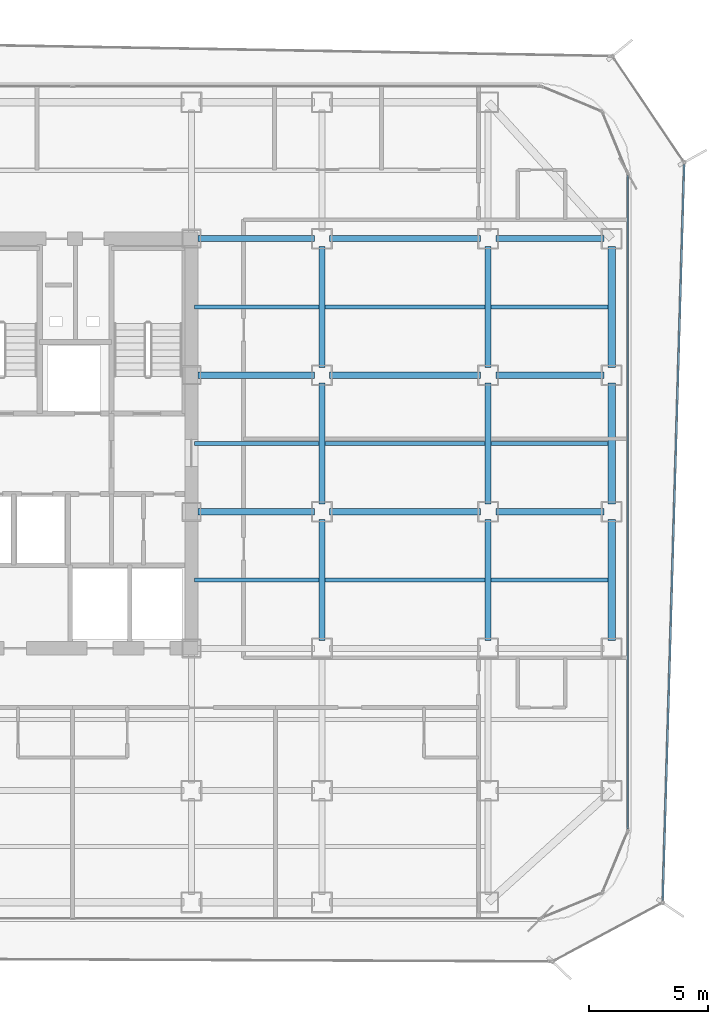
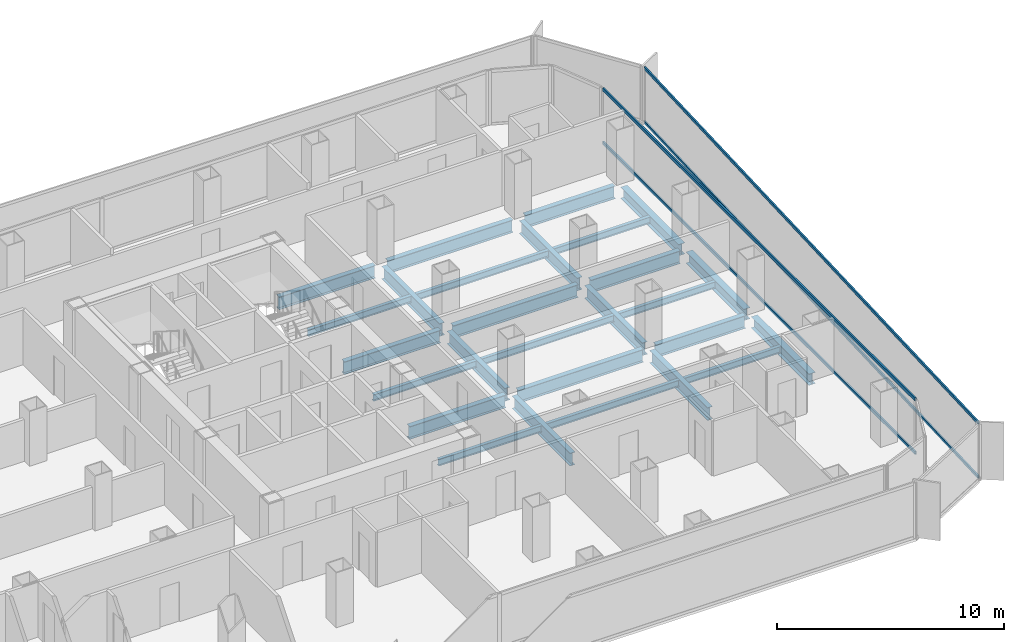
# One storey, part 9 of 21: 27 beams, 4 members, 2 elements without a shape of their own.
"""IFC4 building model written with IfcOpenShell, lengths in metres."""

from ifc_helpers import new_model, si_unit, direction, frame, origin, origin_2d, place, context, subcontext, project, spatial, hollow_rectangle, i_section, extrude, source, transform, mapped, material, layer, layer_set, material_profile, profile_set, type_object, element, aggregate, save


model = new_model("IFC4")

# Units and contexts
model_context = context("Model", 3, precision=1e-05, world=origin(), true_north=direction((0.0, 1.0)))
body_context = subcontext(model_context, "Body", "Model", "MODEL_VIEW")
ifc_project = project(units=[si_unit("LENGTHUNIT", "METRE"), si_unit("AREAUNIT", "SQUARE_METRE"), si_unit("VOLUMEUNIT", "CUBIC_METRE"), si_unit("PLANEANGLEUNIT", "RADIAN"), si_unit("MASSUNIT", "GRAM", prefix="KILO")], contexts=[model_context])

# Site, building, storey
site_placement = place(None, origin())
site = spatial("IfcSite", under=ifc_project, at=site_placement, CompositionType="ELEMENT")
building_placement = place(site_placement, origin())
building = spatial("IfcBuilding", under=site, at=building_placement, Name="Kolveth Station Tower", CompositionType="ELEMENT")
storey_placement = place(building_placement, frame((0.0, 0.0, 108.699951171875)))
storey = spatial("IfcBuildingStorey", under=building, at=storey_placement, Name="L29", CompositionType="ELEMENT", Elevation=108.699951171875)

# Beams
ifc_material_1 = material(Name="Steel S355", Category="steel")
ifc_material_profile_1 = material_profile(ifc_material_1, i_section(OverallWidth=0.323974609375, OverallDepth=0.611083984375, WebThickness=0.0126953125, FlangeThickness=0.01904296875, at=origin_2d()), Name="W610x155")
ifc_profile_set_1 = profile_set([ifc_material_profile_1], Name="Steel S355")
beam_type_1 = type_object("IfcBeamType", Name="Beam_SP2", PredefinedType="SPANDREL", material=ifc_profile_set_1)
shared_shape_1 = source(origin(), body_context, "Body", "SweptSolid", [
    extrude(i_section(OverallWidth=0.323974609375, OverallDepth=0.611083984375, WebThickness=0.0126953125, FlangeThickness=0.01904296875, at=origin_2d()), origin(), (0.0, 0.0, 1.0), 5.10986328125),
])
for number, where, z_axis, x_axis, name in (
    (1, (46.199951171875, 11.820068359375, -0.555419921875), (0.0, 1.0, 0.0), (-1.0, 0.0, 0.0), "L29 Perimeter Spandrel BM-L29-PE-2"),
    (2, (46.199951171875, 17.570068359375, -0.555419921875), (0.0, 1.0, 0.0), (-1.0, 0.0, 0.0), "L29 Perimeter Spandrel BM-L29-PE-3"),
    (3, (46.199951171875, 23.320068359375, -0.555419921875), (0.0, 1.0, 0.0), (-1.0, 0.0, 0.0), "L29 Perimeter Spandrel BM-L29-PE-4"),
):
    element("IfcBeam", number, at=place(storey_placement, frame(where, z_axis=z_axis, x_axis=x_axis)), inside=storey, type_object=beam_type_1, Name=name, PredefinedType="SPANDREL", context=body_context, shape_type="MappedRepresentation", body=[
        mapped(shared_shape_1, transform((0.0, 0.0, 0.0), x_axis=(1.0, 0.0, 0.0), y_axis=(0.0, 1.0, 0.0), z_axis=(0.0, 0.0, 1.0), scale=1.0)),
    ])
ifc_material_profile_2 = material_profile(ifc_material_1, i_section(OverallWidth=0.25390625, OverallDepth=0.68798828125, WebThickness=0.01318359375, FlangeThickness=0.02099609375, at=origin_2d()), Name="W690x152")
ifc_profile_set_2 = profile_set([ifc_material_profile_2], Name="Steel S355")
beam_type_2 = type_object("IfcBeamType", Name="Beam_B4", PredefinedType="BEAM", material=ifc_profile_set_2)
shared_shape_2 = source(origin(), body_context, "Body", "SweptSolid", [
    extrude(i_section(OverallWidth=0.25390625, OverallDepth=0.68798828125, WebThickness=0.01318359375, FlangeThickness=0.02099609375, at=origin_2d()), origin(), (0.0, 0.0, 1.0), 4.559814453125),
])
for number, where, z_axis, x_axis, name in (
    (4, (41.320068359375, 17.25, -0.593994140625), (1.0, 0.0, 0.0), (0.0, 1.0, 0.0), "L29 Primary Girder BM-L29-GY172-7"),
    (5, (41.320068359375, 23.0, -0.593994140625), (1.0, 0.0, 0.0), (0.0, 1.0, 0.0), "L29 Primary Girder BM-L29-GY230-7"),
    (6, (41.320068359375, 28.75, -0.593994140625), (1.0, 0.0, 0.0), (0.0, 1.0, 0.0), "L29 Primary Girder BM-L29-GY287-7"),
):
    element("IfcBeam", number, at=place(storey_placement, frame(where, z_axis=z_axis, x_axis=x_axis)), inside=storey, type_object=beam_type_2, Name=name, PredefinedType="BEAM", context=body_context, shape_type="MappedRepresentation", body=[
        mapped(shared_shape_2, transform((0.0, 0.0, 0.0), x_axis=(1.0, 0.0, 0.0), y_axis=(0.0, 1.0, 0.0), z_axis=(0.0, 0.0, 1.0), scale=1.0)),
    ])
shared_shape_3 = source(origin(), body_context, "Body", "SweptSolid", [
    extrude(i_section(OverallWidth=0.25390625, OverallDepth=0.68798828125, WebThickness=0.01318359375, FlangeThickness=0.02099609375, at=origin_2d()), origin(), (0.0, 0.0, 1.0), 6.35986328125),
])
for number, where, z_axis, x_axis, name in (
    (7, (34.320068359375, 17.25, -0.593994140625), (1.0, 0.0, 0.0), (0.0, 1.0, 0.0), "L29 Primary Girder BM-L29-GY172-6"),
    (8, (34.320068359375, 23.0, -0.593994140625), (1.0, 0.0, 0.0), (0.0, 1.0, 0.0), "L29 Primary Girder BM-L29-GY230-6"),
    (9, (34.320068359375, 28.75, -0.593994140625), (1.0, 0.0, 0.0), (0.0, 1.0, 0.0), "L29 Primary Girder BM-L29-GY287-6"),
):
    element("IfcBeam", number, at=place(storey_placement, frame(where, z_axis=z_axis, x_axis=x_axis)), inside=storey, type_object=beam_type_2, Name=name, PredefinedType="BEAM", context=body_context, shape_type="MappedRepresentation", body=[
        mapped(shared_shape_3, transform((0.0, 0.0, 0.0), x_axis=(1.0, 0.0, 0.0), y_axis=(0.0, 1.0, 0.0), z_axis=(0.0, 0.0, 1.0), scale=1.0)),
    ])
shared_shape_4 = source(origin(), body_context, "Body", "SweptSolid", [
    extrude(i_section(OverallWidth=0.25390625, OverallDepth=0.68798828125, WebThickness=0.01318359375, FlangeThickness=0.02099609375, at=origin_2d()), origin(), (0.0, 0.0, 1.0), 4.89990234375),
])
for number, where, z_axis, x_axis, name in (
    (10, (28.780029296875, 17.25, -0.593994140625), (1.0, 0.0, 0.0), (0.0, 1.0, 0.0), "L29 Primary Girder BM-L29-GY172-5"),
    (11, (28.780029296875, 23.0, -0.593994140625), (1.0, 0.0, 0.0), (0.0, 1.0, 0.0), "L29 Primary Girder BM-L29-GY230-5"),
    (12, (28.780029296875, 28.75, -0.593994140625), (1.0, 0.0, 0.0), (0.0, 1.0, 0.0), "L29 Primary Girder BM-L29-GY287-5"),
):
    element("IfcBeam", number, at=place(storey_placement, frame(where, z_axis=z_axis, x_axis=x_axis)), inside=storey, type_object=beam_type_2, Name=name, PredefinedType="BEAM", context=body_context, shape_type="MappedRepresentation", body=[
        mapped(shared_shape_4, transform((0.0, 0.0, 0.0), x_axis=(1.0, 0.0, 0.0), y_axis=(0.0, 1.0, 0.0), z_axis=(0.0, 0.0, 1.0), scale=1.0)),
    ])
shared_shape_5 = source(origin(), body_context, "Body", "SweptSolid", [
    extrude(i_section(OverallWidth=0.25390625, OverallDepth=0.68798828125, WebThickness=0.01318359375, FlangeThickness=0.02099609375, at=origin_2d()), origin(), (0.0, 0.0, 1.0), 5.10986328125),
])
for number, where, z_axis, x_axis, name in (
    (13, (34.0, 11.820068359375, -0.593994140625), (0.0, 1.0, 0.0), (-1.0, 0.0, 0.0), "L29 Primary Girder BM-L29-GX340-3"),
    (14, (34.0, 17.570068359375, -0.593994140625), (0.0, 1.0, 0.0), (-1.0, 0.0, 0.0), "L29 Primary Girder BM-L29-GX340-4"),
    (15, (34.0, 23.320068359375, -0.593994140625), (0.0, 1.0, 0.0), (-1.0, 0.0, 0.0), "L29 Primary Girder BM-L29-GX340-5"),
    (16, (41.0, 11.820068359375, -0.593994140625), (0.0, 1.0, 0.0), (-1.0, 0.0, 0.0), "L29 Primary Girder BM-L29-GX410-3"),
    (17, (41.0, 17.570068359375, -0.593994140625), (0.0, 1.0, 0.0), (-1.0, 0.0, 0.0), "L29 Primary Girder BM-L29-GX410-4"),
    (18, (41.0, 23.320068359375, -0.593994140625), (0.0, 1.0, 0.0), (-1.0, 0.0, 0.0), "L29 Primary Girder BM-L29-GX410-5"),
):
    element("IfcBeam", number, at=place(storey_placement, frame(where, z_axis=z_axis, x_axis=x_axis)), inside=storey, type_object=beam_type_2, Name=name, PredefinedType="BEAM", context=body_context, shape_type="MappedRepresentation", body=[
        mapped(shared_shape_5, transform((0.0, 0.0, 0.0), x_axis=(1.0, 0.0, 0.0), y_axis=(0.0, 1.0, 0.0), z_axis=(0.0, 0.0, 1.0), scale=1.0)),
    ])
ifc_material_profile_3 = material_profile(ifc_material_1, i_section(OverallWidth=0.1708984375, OverallDepth=0.35205078125, WebThickness=0.0068359375, FlangeThickness=0.009765625, at=origin_2d()), Name="W360x44")
ifc_profile_set_3 = profile_set([ifc_material_profile_3], Name="Steel S355")
beam_type_3 = type_object("IfcBeamType", Name="Beam_J2", PredefinedType="JOIST", material=ifc_profile_set_3)
shared_shape_6 = source(origin(), body_context, "Body", "SweptSolid", [
    extrude(i_section(OverallWidth=0.1708984375, OverallDepth=0.35205078125, WebThickness=0.0068359375, FlangeThickness=0.009765625, at=origin_2d()), origin(), (0.0, 0.0, 1.0), 4.9150390625),
])
for number, where, z_axis, x_axis, name in (
    (19, (41.125, 14.375, -0.426025390625), (1.0, 0.0, 0.0), (0.0, 1.0, 0.0), "L29 Secondary Joist JST-L29-7-3"),
    (20, (41.125, 20.125, -0.426025390625), (1.0, 0.0, 0.0), (0.0, 1.0, 0.0), "L29 Secondary Joist JST-L29-7-4"),
    (21, (41.125, 25.875, -0.426025390625), (1.0, 0.0, 0.0), (0.0, 1.0, 0.0), "L29 Secondary Joist JST-L29-7-5"),
):
    element("IfcBeam", number, at=place(storey_placement, frame(where, z_axis=z_axis, x_axis=x_axis)), inside=storey, type_object=beam_type_3, Name=name, PredefinedType="JOIST", context=body_context, shape_type="MappedRepresentation", body=[
        mapped(shared_shape_6, transform((0.0, 0.0, 0.0), x_axis=(1.0, 0.0, 0.0), y_axis=(0.0, 1.0, 0.0), z_axis=(0.0, 0.0, 1.0), scale=1.0)),
    ])
shared_shape_7 = source(origin(), body_context, "Body", "SweptSolid", [
    extrude(i_section(OverallWidth=0.1708984375, OverallDepth=0.35205078125, WebThickness=0.0068359375, FlangeThickness=0.009765625, at=origin_2d()), origin(), (0.0, 0.0, 1.0), 6.75),
])
for number, where, z_axis, x_axis, name in (
    (22, (34.125, 14.375, -0.426025390625), (1.0, 0.0, 0.0), (0.0, 1.0, 0.0), "L29 Secondary Joist JST-L29-6-3"),
    (23, (34.125, 20.125, -0.426025390625), (1.0, 0.0, 0.0), (0.0, 1.0, 0.0), "L29 Secondary Joist JST-L29-6-4"),
    (24, (34.125, 25.875, -0.426025390625), (1.0, 0.0, 0.0), (0.0, 1.0, 0.0), "L29 Secondary Joist JST-L29-6-5"),
):
    element("IfcBeam", number, at=place(storey_placement, frame(where, z_axis=z_axis, x_axis=x_axis)), inside=storey, type_object=beam_type_3, Name=name, PredefinedType="JOIST", context=body_context, shape_type="MappedRepresentation", body=[
        mapped(shared_shape_7, transform((0.0, 0.0, 0.0), x_axis=(1.0, 0.0, 0.0), y_axis=(0.0, 1.0, 0.0), z_axis=(0.0, 0.0, 1.0), scale=1.0)),
    ])
shared_shape_8 = source(origin(), body_context, "Body", "SweptSolid", [
    extrude(i_section(OverallWidth=0.1708984375, OverallDepth=0.35205078125, WebThickness=0.0068359375, FlangeThickness=0.009765625, at=origin_2d()), origin(), (0.0, 0.0, 1.0), 5.25),
])
for number, where, z_axis, x_axis, name in (
    (25, (28.625, 14.375, -0.426025390625), (1.0, 0.0, 0.0), (0.0, 1.0, 0.0), "L29 Secondary Joist JST-L29-5-3"),
    (26, (28.625, 20.125, -0.426025390625), (1.0, 0.0, 0.0), (0.0, 1.0, 0.0), "L29 Secondary Joist JST-L29-5-4"),
    (27, (28.625, 25.875, -0.426025390625), (1.0, 0.0, 0.0), (0.0, 1.0, 0.0), "L29 Secondary Joist JST-L29-5-5"),
):
    element("IfcBeam", number, at=place(storey_placement, frame(where, z_axis=z_axis, x_axis=x_axis)), inside=storey, type_object=beam_type_3, Name=name, PredefinedType="JOIST", context=body_context, shape_type="MappedRepresentation", body=[
        mapped(shared_shape_8, transform((0.0, 0.0, 0.0), x_axis=(1.0, 0.0, 0.0), y_axis=(0.0, 1.0, 0.0), z_axis=(0.0, 0.0, 1.0), scale=1.0)),
    ])

# Curtain wall, members
ifc_material_2 = material(Name="Aluminium 6063-T6 and low-E dark glass", Category="aluminium")
ifc_layer_1 = layer(ifc_material_2, 0.18994140625)
ifc_layer_set_1 = layer_set([ifc_layer_1], Name="Aluminium 6063-T6 and low-E dark glass")
curtain_wall_type_1 = type_object("IfcCurtainWallType", Name="CurtainWall_CW-Z2", PredefinedType="NOTDEFINED", material=ifc_layer_set_1)
curtain_wall_1_placement = place(storey_placement, origin())
curtain_wall_1 = element("IfcCurtainWall", 28, at=curtain_wall_1_placement, inside=storey, type_object=curtain_wall_type_1, Name="L29 Inner Thermal Curtain Wall 3", PredefinedType="NOTDEFINED")
ifc_material_3 = material(Name="Black anodized aluminium 6063-T6", Category="aluminium")
ifc_material_profile_4 = material_profile(ifc_material_3, hollow_rectangle(XDim=0.080078125, YDim=0.169921875, WallThickness=0.0048828125, at=origin_2d()), Name="ALU-80x170x5")
ifc_profile_set_4 = profile_set([ifc_material_profile_4], Name="Black anodized aluminium 6063-T6")
member_type_1 = type_object("IfcMemberType", Name="Transom_TR2", PredefinedType="USERDEFINED", material=ifc_profile_set_4)
shared_shape_9 = source(origin(), body_context, "Body", "SweptSolid", [
    extrude(hollow_rectangle(XDim=0.080078125, YDim=0.169921875, WallThickness=0.0048828125, at=origin_2d()), origin(), (0.0, 0.0, 1.0), 27.5400390625),
])
member_1_placement = place(storey_placement, frame((46.8798828125, 3.8798828125, 0.0400390625), z_axis=(0.0, 1.0, 0.0), x_axis=(-1.0, 0.0, 0.0)))
member_1 = element("IfcMember", 29, at=member_1_placement, type_object=member_type_1, Name="CW-Z2 transom 1.1", ObjectType="TRANSOM", PredefinedType="USERDEFINED", context=body_context, shape_type="MappedRepresentation", body=[
    mapped(shared_shape_9, transform((0.0, 0.0, 0.0), x_axis=(1.0, 0.0, 0.0), y_axis=(0.0, 1.0, 0.0), z_axis=(0.0, 0.0, 1.0), scale=1.0)),
])
member_2_placement = place(storey_placement, frame((46.8798828125, 3.8798828125, 2.91015625), z_axis=(0.0, 1.0, 0.0), x_axis=(-1.0, 0.0, 0.0)))
member_2 = element("IfcMember", 30, at=member_2_placement, type_object=member_type_1, Name="CW-Z2 transom 1.2", ObjectType="TRANSOM", PredefinedType="USERDEFINED", context=body_context, shape_type="MappedRepresentation", body=[
    mapped(shared_shape_9, transform((0.0, 0.0, 0.0), x_axis=(1.0, 0.0, 0.0), y_axis=(0.0, 1.0, 0.0), z_axis=(0.0, 0.0, 1.0), scale=1.0)),
])
aggregate(curtain_wall_1, [member_1, member_2])

ifc_material_4 = material(Name="Black anodized aluminium 6063-T6 and dark solar glass", Category="aluminium")
ifc_layer_2 = layer(ifc_material_4, 0.159912109375)
ifc_layer_set_2 = layer_set([ifc_layer_2], Name="Black anodized aluminium 6063-T6 and dark solar glass")
curtain_wall_type_2 = type_object("IfcCurtainWallType", Name="OUTER SKIN CW-OS", PredefinedType="NOTDEFINED", material=ifc_layer_set_2)
curtain_wall_2_placement = place(storey_placement, origin())
curtain_wall_2 = element("IfcCurtainWall", 31, at=curtain_wall_2_placement, inside=storey, type_object=curtain_wall_type_2, Name="L29 Outer Ventilated Skin Curtain Wall 2", PredefinedType="NOTDEFINED")
ifc_material_profile_5 = material_profile(ifc_material_3, hollow_rectangle(XDim=0.080078125, YDim=0.14990234375, WallThickness=0.0048828125, at=origin_2d()), Name="ALU-80x150x5")
ifc_profile_set_5 = profile_set([ifc_material_profile_5], Name="Black anodized aluminium 6063-T6")
member_type_2 = type_object("IfcMemberType", Name="Transom_TR-OS", PredefinedType="USERDEFINED", material=ifc_profile_set_5)
shared_shape_10 = source(origin(), body_context, "Body", "SweptSolid", [
    extrude(hollow_rectangle(XDim=0.080078125, YDim=0.14990234375, WallThickness=0.0048828125, at=origin_2d()), origin(), (0.0, 0.0, 1.0), 31.00732421875),
])
member_3_placement = place(storey_placement, frame((48.350830078125, 0.8798828125, 0.0400390625), z_axis=(0.029163971186, 0.999574640927, 0.0), x_axis=(-0.999574640927, 0.029163971186, 0.0)))
member_3 = element("IfcMember", 32, at=member_3_placement, type_object=member_type_2, Name="CW-OS transom 1.1", ObjectType="TRANSOM", PredefinedType="USERDEFINED", context=body_context, shape_type="MappedRepresentation", body=[
    mapped(shared_shape_10, transform((0.0, 0.0, 0.0), x_axis=(1.0, 0.0, 0.0), y_axis=(0.0, 1.0, 0.0), z_axis=(0.0, 0.0, 1.0), scale=1.0)),
])
member_4_placement = place(storey_placement, frame((48.350830078125, 0.8798828125, 2.949951171875), z_axis=(0.029163971186, 0.999574640927, 0.0), x_axis=(-0.999574640927, 0.029163971186, 0.0)))
member_4 = element("IfcMember", 33, at=member_4_placement, type_object=member_type_2, Name="CW-OS transom 1.2", ObjectType="TRANSOM", PredefinedType="USERDEFINED", context=body_context, shape_type="MappedRepresentation", body=[
    mapped(shared_shape_10, transform((0.0, 0.0, 0.0), x_axis=(1.0, 0.0, 0.0), y_axis=(0.0, 1.0, 0.0), z_axis=(0.0, 0.0, 1.0), scale=1.0)),
])
aggregate(curtain_wall_2, [member_3, member_4])

save(model, "model.ifc")
